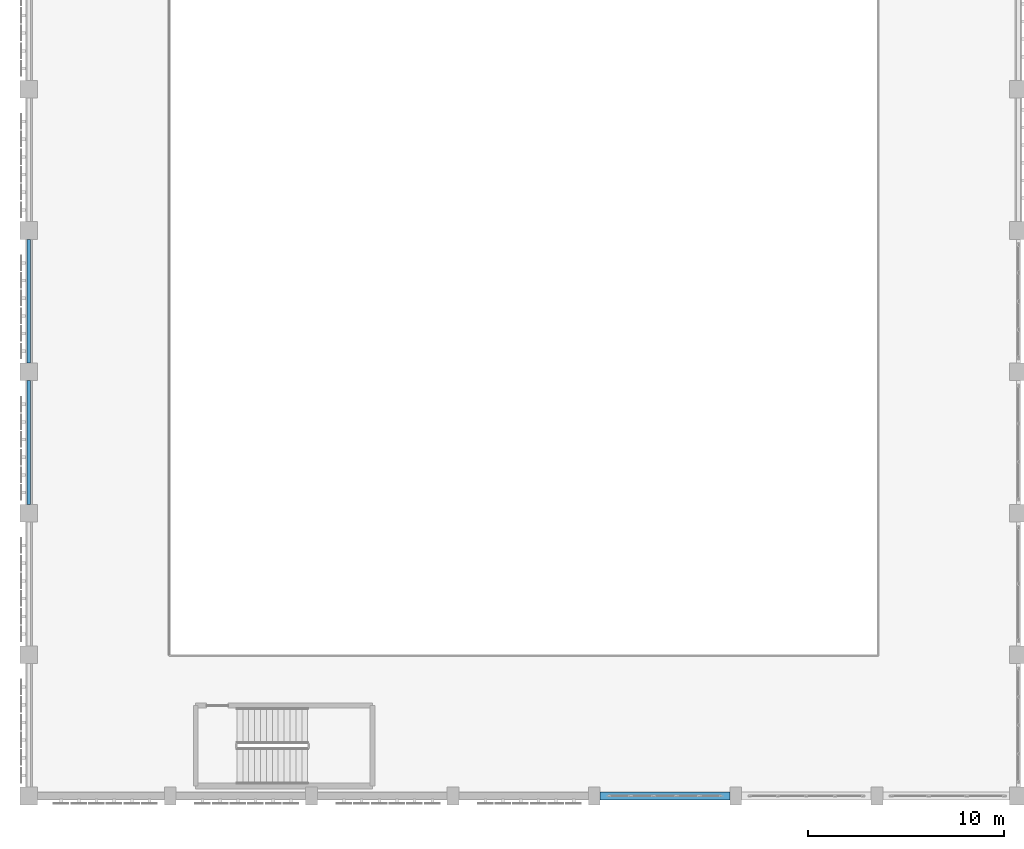
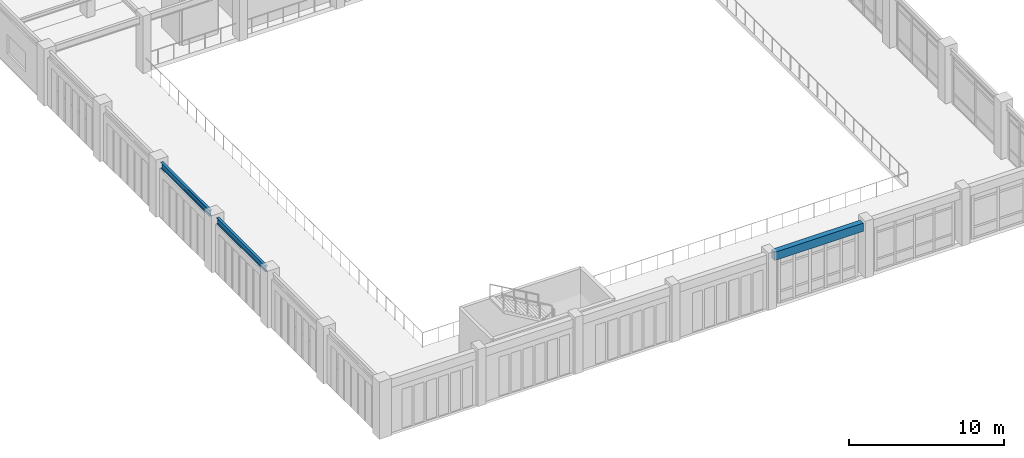
# One storey, part 13 of 106: 3 beams.
"""IFC4 building model written with IfcOpenShell, lengths in metres."""

import ifcopenshell
import ifcopenshell.guid

model = None  # the IFC model being written
_history = None  # IfcOwnerHistory: only IFC2X3 demands one
_inside = {}  # id of a spatial element -> (the spatial element, [elements in it])
_under = {}  # id of a project, library or spatial element -> (it, [spatial elements below it])
_declared = {}  # id of a project -> (the project, [libraries it declares])
_typed = {}  # id of a type object -> (the type object, [elements of that type])
_made_of = {}  # id of a material, layer set ... -> (it, [elements and type objects made of it])


def new_model(schema):
    """Start an empty IFC model of exactly this schema.

    Asked for "IFC4X3", IfcOpenShell would pick the latest addendum, in which some entities
    have other attributes; the version numbers below select the first issue.
    IFC2X3 requires an IfcOwnerHistory on every rooted entity: one is made here for all.
    """
    global model, _history
    if schema == "IFC4X3":
        model = ifcopenshell.file(schema_version=(4, 3, 0, 0))
    else:
        model = ifcopenshell.file(schema=schema)
    _inside.clear()
    _under.clear()
    _declared.clear()
    _typed.clear()
    _made_of.clear()
    _history = None
    if model.schema == "IFC2X3":
        org = make("IfcOrganization", Name="unknown")
        user = make(
            "IfcPersonAndOrganization",
            ThePerson=make("IfcPerson", FamilyName="unknown"),
            TheOrganization=org,
        )
        app = make(
            "IfcApplication",
            ApplicationDeveloper=org,
            Version="unknown",
            ApplicationFullName="unknown",
            ApplicationIdentifier="unknown",
        )
        _history = make(
            "IfcOwnerHistory",
            OwningUser=user,
            OwningApplication=app,
            ChangeAction="ADDED",
            CreationDate=0,
        )
    return model


def make(cls, **values):
    """One entity of the class cls with the attributes given. An attribute that is None is left unset."""
    return model.create_entity(
        cls, **{name: value for name, value in values.items() if value is not None}
    )


def rooted(cls, **values):
    """An entity with a GlobalId (a new one), such as an element, a storey or a relation."""
    return make(cls, GlobalId=ifcopenshell.guid.new(), OwnerHistory=_history, **values)


def si_unit(unit_type, name, prefix=None):
    """IfcSIUnit, for example si_unit("LENGTHUNIT", "METRE", prefix="MILLI")."""
    return make("IfcSIUnit", UnitType=unit_type, Prefix=prefix, Name=name)


def assignment(units):
    """IfcUnitAssignment: the units of a project."""
    return None if units is None else make("IfcUnitAssignment", Units=units)


def point(xyz):
    """IfcCartesianPoint."""
    return None if xyz is None else make("IfcCartesianPoint", Coordinates=xyz)


def direction(xyz):
    """IfcDirection."""
    return None if xyz is None else make("IfcDirection", DirectionRatios=xyz)


def frame(location, z_axis=None, x_axis=None):
    """IfcAxis2Placement3D, a coordinate frame: its origin and axes. An axis left out is left unset."""
    return make(
        "IfcAxis2Placement3D",
        Location=point(location),
        Axis=direction(z_axis),
        RefDirection=direction(x_axis),
    )


def frame_2d(location, x_axis=None):
    """IfcAxis2Placement2D, a coordinate frame in the plane: its origin and x axis."""
    return make(
        "IfcAxis2Placement2D", Location=point(location), RefDirection=direction(x_axis)
    )


def origin():
    """The frame at (0, 0, 0) with its axes left unset."""
    return frame((0.0, 0.0, 0.0))


def origin_2d():
    """The frame at (0, 0) in the plane with its x axis left unset."""
    return frame_2d((0.0, 0.0))


def place(relative_to, where):
    """IfcLocalPlacement: puts the frame where relative to a parent placement (None: the world)."""
    return make(
        "IfcLocalPlacement", PlacementRelTo=relative_to, RelativePlacement=where
    )


def context(
    kind, dimensions, precision=None, world=None, true_north=None, identifier=None
):
    """IfcGeometricRepresentationContext, for example the 3D "Model" context."""
    return make(
        "IfcGeometricRepresentationContext",
        ContextIdentifier=identifier,
        ContextType=kind,
        CoordinateSpaceDimension=dimensions,
        Precision=precision,
        WorldCoordinateSystem=world,
        TrueNorth=true_north,
    )


def subcontext(parent, identifier, kind, view, scale=None):
    """IfcGeometricRepresentationSubContext, for example "Body" below "Model"."""
    return make(
        "IfcGeometricRepresentationSubContext",
        ContextIdentifier=identifier,
        ContextType=kind,
        ParentContext=parent,
        TargetScale=scale,
        TargetView=view,
    )


def project(units=None, contexts=None):
    """IfcProject with its units and contexts."""
    return rooted(
        "IfcProject",
        Name="project",
        RepresentationContexts=contexts,
        UnitsInContext=assignment(units),
    )


def spatial(cls, under=None, at=None, **own):
    """A site, building, storey or space (cls), placed at a placement, below another one or the project."""
    s = rooted(cls, ObjectPlacement=at, **own)
    if under is not None:
        _under.setdefault(under.id(), (under, []))[1].append(s)
    return s


def profile(cls, at=None, kind="AREA", **sizes):
    """A parametric profile (cls). Its sizes go by their IFC names, for example OverallWidth=200.0."""
    return make(cls, ProfileType=kind, Position=at, **sizes)


def rectangle(**sizes):
    """IfcRectangleProfileDef."""
    return profile("IfcRectangleProfileDef", **sizes)


def i_section(**sizes):
    """IfcIShapeProfileDef."""
    return profile("IfcIShapeProfileDef", **sizes)


def extrude(swept, where, along, depth):
    """IfcExtrudedAreaSolid: the profile swept, set in the frame where, extruded along a direction by depth."""
    return make(
        "IfcExtrudedAreaSolid",
        SweptArea=swept,
        Position=where,
        ExtrudedDirection=direction(along),
        Depth=depth,
    )


def shape(context_of_items, identifier, shape_type, items):
    """IfcShapeRepresentation: the items that make up one representation, for example the "Body"."""
    return make(
        "IfcShapeRepresentation",
        ContextOfItems=context_of_items,
        RepresentationIdentifier=identifier,
        RepresentationType=shape_type,
        Items=items,
    )


def material(Name=None, Category=None):
    """IfcMaterial."""
    return make("IfcMaterial", Name=Name, Category=Category)


def material_profile(
    of_material, cross_section, Name=None, Category=None, Priority=None
):
    """IfcMaterialProfile: a cross section and its material."""
    return make(
        "IfcMaterialProfile",
        Name=Name,
        Material=of_material,
        Profile=cross_section,
        Priority=Priority,
        Category=Category,
    )


def profile_set(profiles, Name=None, composite=None):
    """IfcMaterialProfileSet."""
    return make(
        "IfcMaterialProfileSet",
        Name=Name,
        MaterialProfiles=profiles,
        CompositeProfile=composite,
    )


def made_of(thing, what):
    """Note that an element or type object is made of a material, layer set ...; save() writes the relation."""
    if what is not None:
        _made_of.setdefault(what.id(), (what, []))[1].append(thing)
    return thing


def type_object(cls, material=None, **own):
    """A type object (cls), such as IfcWallType, which elements share."""
    return made_of(rooted(cls, **own), material)


def element(
    cls,
    number,
    at=None,
    inside=None,
    cuts=None,
    type_object=None,
    material=None,
    context=None,
    identifier="Body",
    shape_type=None,
    held_by="IfcProductDefinitionShape",
    body=None,
    shapes=None,
    **own,
):
    """One element of the class cls, such as IfcWall. Its Tag is "e" and its number.

    at: its placement. inside: the storey or other place that contains it. cuts: it is an
    opening in that element (IfcRelVoidsElement). A single representation is given by context,
    identifier, shape_type and body (its items); several are given by shapes. held_by: the class
    of the entity that holds the representations. save() writes the other relations.
    """
    e = rooted(cls, Tag="e%d" % number, ObjectPlacement=at, **own)
    if body is not None:
        shapes = [shape(context, identifier, shape_type, body)]
    if shapes is not None:
        e.Representation = make(held_by, Representations=shapes)
    if inside is not None:
        _inside.setdefault(inside.id(), (inside, []))[1].append(e)
    if cuts is not None:
        rooted(
            "IfcRelVoidsElement", RelatingBuildingElement=cuts, RelatedOpeningElement=e
        )
    if type_object is not None:
        _typed.setdefault(type_object.id(), (type_object, []))[1].append(e)
    return made_of(e, material)


def aggregate(whole, parts):
    """IfcRelAggregates: a whole, such as a stair, and the parts it consists of."""
    return rooted("IfcRelAggregates", RelatingObject=whole, RelatedObjects=parts)


def save(model, path):
    """Write the relations noted so far, then the file.

    IfcRelAggregates (storeys below a building ...), IfcRelContainedInSpatialStructure (elements
    in a storey), IfcRelDefinesByType, IfcRelAssociatesMaterial and IfcRelDeclares: one each for
    every whole, place, type object, material and project.
    """
    for whole, parts in _under.values():
        aggregate(whole, parts)
    for where, things in _inside.values():
        rooted(
            "IfcRelContainedInSpatialStructure",
            RelatedElements=things,
            RelatingStructure=where,
        )
    for kind, things in _typed.values():
        rooted("IfcRelDefinesByType", RelatedObjects=things, RelatingType=kind)
    for what, things in _made_of.values():
        rooted("IfcRelAssociatesMaterial", RelatedObjects=things, RelatingMaterial=what)
    for by, libraries in _declared.values():
        rooted("IfcRelDeclares", RelatingContext=by, RelatedDefinitions=libraries)
    model.write(path)


model = new_model("IFC4")

# Units and contexts
model_context = context("Model", 3, precision=1e-05, world=origin(), true_north=direction((0.0, 1.0)))
body_context = subcontext(model_context, "Body", "Model", "MODEL_VIEW")
ifc_project = project(units=[si_unit("LENGTHUNIT", "METRE"), si_unit("AREAUNIT", "SQUARE_METRE"), si_unit("VOLUMEUNIT", "CUBIC_METRE"), si_unit("PLANEANGLEUNIT", "RADIAN"), si_unit("MASSUNIT", "GRAM", prefix="KILO")], contexts=[model_context])

# Site, building, storey
site_placement = place(None, origin())
site = spatial("IfcSite", under=ifc_project, at=site_placement, CompositionType="ELEMENT")
building_placement = place(site_placement, origin())
building = spatial("IfcBuilding", under=site, at=building_placement, Name="Carrowvane Square Congress Hotel", CompositionType="ELEMENT")
storey_placement = place(building_placement, frame((0.0, 0.0, 10.5)))
storey = spatial("IfcBuildingStorey", under=building, at=storey_placement, Name="L02", CompositionType="ELEMENT", Elevation=10.5)

# Beams
ifc_material_1 = material(Name="Steel S355", Category="steel")
ifc_material_profile_1 = material_profile(ifc_material_1, i_section(OverallWidth=0.19140625, OverallDepth=0.4599609375, WebThickness=0.010009765625, FlangeThickness=0.01611328125, FilletRadius=0.01025390625, at=origin_2d()), Name="UKB 457x191x82")
ifc_profile_set_1 = profile_set([ifc_material_profile_1], Name="Steel S355")
beam_type_1 = type_object("IfcBeamType", Name="BM-ST-UKB457", PredefinedType="SPANDREL", material=ifc_profile_set_1)
for number, where, z_axis, x_axis, name in (
    (1, (11.60009765625, 20.25, 3.989990234375), (0.0, 1.0, 0.0), (-1.0, 0.0, 0.0), "L03 girder 1/C-D"),
    (2, (11.60009765625, 27.449951171875, 3.989990234375), (0.0, 1.0, 0.0), (-1.0, 0.0, 0.0), "L03 girder 1/D-E"),
):
    element("IfcBeam", number, at=place(storey_placement, frame(where, z_axis=z_axis, x_axis=x_axis)), inside=storey, type_object=beam_type_1, Name=name, PredefinedType="SPANDREL", context=body_context, shape_type="SweptSolid", body=[
        extrude(i_section(OverallWidth=0.19140625, OverallDepth=0.4599609375, WebThickness=0.010009765625, FlangeThickness=0.01611328125, FilletRadius=0.01025390625, at=origin_2d()), origin(), (0.0, 0.0, 1.0), 6.300048828125),
    ])
ifc_material_2 = material(Name="Concrete C35/45", Category="concrete")
ifc_material_profile_2 = material_profile(ifc_material_2, rectangle(XDim=0.39990234375, YDim=0.64990234375, at=origin_2d()), Name="RC 400x650")
ifc_profile_set_2 = profile_set([ifc_material_profile_2], Name="Concrete C35/45")
beam_type_2 = type_object("IfcBeamType", Name="SP-RC-400x650", PredefinedType="SPANDREL", material=ifc_profile_set_2)
beam_placement = place(storey_placement, frame((40.699951171875, 5.39990234375, 3.89501953125), z_axis=(1.0, 0.0, 0.0), x_axis=(0.0, 1.0, 0.0)))
element("IfcBeam", 3, at=beam_placement, inside=storey, type_object=beam_type_2, Name="L03 girder A/5-6", PredefinedType="SPANDREL", context=body_context, shape_type="SweptSolid", body=[
    extrude(rectangle(XDim=0.39990234375, YDim=0.64990234375, at=origin_2d()), origin(), (0.0, 0.0, 1.0), 6.60009765625),
])

save(model, "model.ifc")
